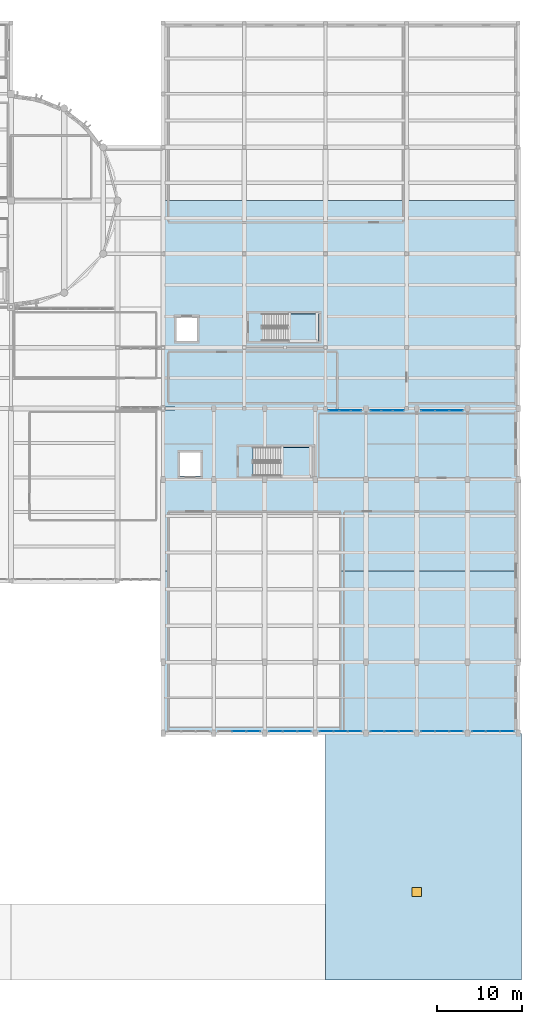
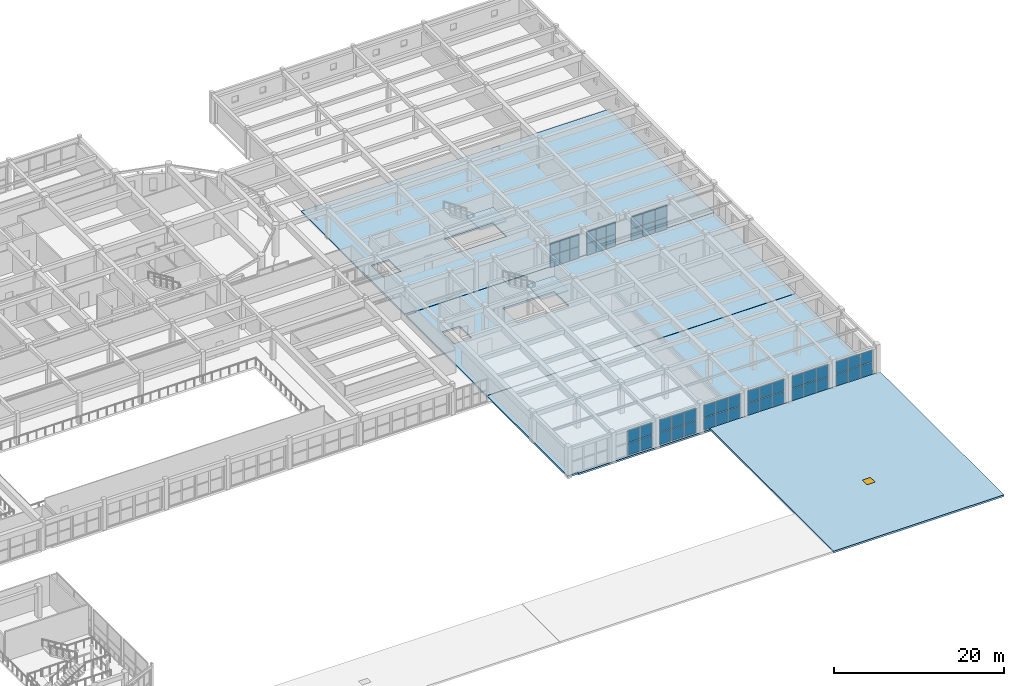
# One storey, part 61 of 92: 52 plates, 6 slabs, 1 door, 1 opening, 11 elements without a shape of their own.
"""IFC4 building model written with IfcOpenShell, lengths in metres."""

from ifc_helpers import new_model, si_unit, direction, frame, origin, origin_2d, place, context, subcontext, project, spatial, polyline, rectangle, outline, extrude, material, layer, layer_set, type_object, element, fill, aggregate, save


model = new_model("IFC4")

# Units and contexts
model_context = context("Model", 3, precision=1e-05, world=origin(), true_north=direction((0.0, 1.0)))
body_context = subcontext(model_context, "Body", "Model", "MODEL_VIEW")
ifc_project = project(units=[si_unit("LENGTHUNIT", "METRE"), si_unit("AREAUNIT", "SQUARE_METRE"), si_unit("VOLUMEUNIT", "CUBIC_METRE"), si_unit("PLANEANGLEUNIT", "RADIAN"), si_unit("MASSUNIT", "GRAM", prefix="KILO")], contexts=[model_context])

# Site, building, storey
site_placement = place(None, origin())
site = spatial("IfcSite", under=ifc_project, at=site_placement, CompositionType="ELEMENT")
building_placement = place(site_placement, origin())
building = spatial("IfcBuilding", under=site, at=building_placement, Name="Tarnavel Promenade Courthouse", CompositionType="ELEMENT")
storey_placement = place(building_placement, frame((0.0, 0.0, 5.39990234375)))
storey = spatial("IfcBuildingStorey", under=building, at=storey_placement, Name="L02", CompositionType="ELEMENT", Elevation=5.39990234375)

# Slab, opening, door
ifc_material_1 = material(Name="Concrete C35/45", Category="concrete")
ifc_layer_1 = layer(ifc_material_1, 0.264892578125)
ifc_layer_set_1 = layer_set([ifc_layer_1], Name="Concrete C35/45")
slab_type_1 = type_object("IfcSlabType", Name="Concrete C35/45 SLB-RF-265 (265 mm)", PredefinedType="ROOF", material=ifc_layer_set_1)
slab_1_placement = place(storey_placement, origin())
slab_1 = element("IfcSlab", 1, at=slab_1_placement, inside=storey, type_object=slab_type_1, Name="L02 East Ceremonial Portico Roof", PredefinedType="ROOF", context=body_context, shape_type="SweptSolid", body=[
    extrude(outline(polyline([(139.219970703125, -0.39990234375), (162.39990234375, -0.39990234375), (162.39990234375, 28.780029296875), (139.219970703125, 28.780029296875), (139.219970703125, -0.39990234375)])), origin(), (0.0, 0.0, 1.0), 0.26513671875),
])
opening_placement = place(slab_1_placement, frame((150.0, 10.0, 0.0)))
opening = element("IfcOpeningElement", 2, at=opening_placement, cuts=slab_1, Name="Opening HT-01", PredefinedType="OPENING", context=body_context, shape_type="SweptSolid", body=[
    extrude(rectangle(XDim=1.10009765625, YDim=1.10009765625, at=origin_2d()), origin(), (0.0, 0.0, 1.0), 0.26513671875),
])
ifc_material_2 = material(Name="Thermally Broken Insulated Aluminium Roof Access Hatch", Category="aluminium")
door_type = type_object("IfcDoorType", Name="Thermally Broken Insulated Aluminium Roof Access Hatch (HT-RF-1100x1100)", OperationType="NOTDEFINED", PredefinedType="TRAPDOOR", material=ifc_material_2)
door_placement = place(opening_placement, frame((0.0, 0.0, 0.215087890625)))
door = element("IfcDoor", 3, at=door_placement, inside=storey, type_object=door_type, Name="L02 Roof Maintenance Access Hatch HT-06", OperationType="SINGLE_SWING_LEFT", OverallHeight=1.10009765625, OverallWidth=1.10009765625, PredefinedType="TRAPDOOR", context=body_context, shape_type="SweptSolid", body=[
    extrude(rectangle(XDim=1.10009765625, YDim=1.10009765625, at=origin_2d()), origin(), (0.0, 0.0, 1.0), 0.050048828125),
])
fill(opening, door)

# Stair, slab
stair_type_1 = type_object("IfcStairType", Name="Concrete C35/45 Half-Turn Stair STR-17 (1500W-280G-24R)", PredefinedType="HALF_TURN_STAIR", material=ifc_material_1)
stair_1_placement = place(storey_placement, origin())
stair_1 = element("IfcStair", 4, at=stair_1_placement, inside=storey, type_object=stair_type_1, Name="L02 Custody Suite Protected Exit Stair", PredefinedType="HALF_TURN_STAIR")
ifc_layer_2 = layer(ifc_material_1, 0.205078125)
ifc_layer_set_2 = layer_set([ifc_layer_2], Name="Concrete C35/45")
slab_type_2 = type_object("IfcSlabType", Name="Concrete C35/45 Stair Landing SLB-LND-205 (205 mm)", PredefinedType="LANDING", material=ifc_layer_set_2)
slab_2_placement = place(storey_placement, frame((0.0, 0.0, 2.050048828125)))
slab_2 = element("IfcSlab", 5, at=slab_2_placement, type_object=slab_type_2, Name="ST-06 landing 1", PredefinedType="LANDING", context=body_context, shape_type="SweptSolid", body=[
    extrude(outline(polyline([(134.780029296875, 75.199951171875), (138.39990234375, 75.199951171875), (138.39990234375, 78.39990234375), (134.780029296875, 78.39990234375), (134.780029296875, 75.199951171875)])), origin(), (0.0, 0.0, 1.0), 0.199951171875),
])
aggregate(stair_1, [slab_2])

stair_type_2 = type_object("IfcStairType", Name="Concrete C35/45 Half-Turn Stair STR-19 (1600W-300G-24R)", PredefinedType="HALF_TURN_STAIR", material=ifc_material_1)
stair_2_placement = place(storey_placement, origin())
stair_2 = element("IfcStair", 6, at=stair_2_placement, inside=storey, type_object=stair_type_2, Name="L02 Ceremonial Pavilion Exit Stair", PredefinedType="HALF_TURN_STAIR")
slab_3_placement = place(storey_placement, frame((0.0, 0.0, 2.050048828125)))
slab_3 = element("IfcSlab", 7, at=slab_3_placement, type_object=slab_type_2, Name="ST-08 landing 1", PredefinedType="LANDING", context=body_context, shape_type="SweptSolid", body=[
    extrude(outline(polyline([(133.89990234375, 59.199951171875), (137.60009765625, 59.199951171875), (137.60009765625, 62.60009765625), (133.89990234375, 62.60009765625), (133.89990234375, 59.199951171875)])), origin(), (0.0, 0.0, 1.0), 0.199951171875),
])
aggregate(stair_2, [slab_3])

# Slabs
ifc_material_3 = material(Name="Concrete C40/50", Category="concrete")
ifc_layer_3 = layer(ifc_material_3, 0.25)
ifc_layer_set_3 = layer_set([ifc_layer_3], Name="Concrete C40/50")
slab_type_3 = type_object("IfcSlabType", Name="Concrete C40/50 SLB-PT-250 (250 mm)", PredefinedType="FLOOR", material=ifc_layer_set_3)
slab_4_placement = place(storey_placement, frame((0.0, 0.0, -0.25)))
element("IfcSlab", 8, at=slab_4_placement, inside=storey, type_object=slab_type_3, Name="L02 Custody Suite S Security Slab", PredefinedType="FLOOR", context=body_context, shape_type="SweptSolid", body=[
    extrude(outline(polyline([(120.02001953125, 67.3798828125), (121.419921875, 67.3798828125), (121.419921875, 67.219970703125), (162.0, 67.219970703125), (162.0, 91.780029296875), (120.02001953125, 91.780029296875), (120.02001953125, 67.3798828125)]), holes=[polyline([(131.7451171875, 75.199951171875), (138.39990234375, 75.199951171875), (138.39990234375, 78.39990234375), (131.7451171875, 78.39990234375), (131.7451171875, 75.199951171875)]), polyline([(121.60009765625, 75.199951171875), (124.0, 75.199951171875), (124.0, 78.0), (121.60009765625, 78.0), (121.60009765625, 75.199951171875)])]), origin(), (0.0, 0.0, 1.0), 0.25),
])
ifc_layer_4 = layer(ifc_material_3, 0.260009765625)
ifc_layer_set_4 = layer_set([ifc_layer_4], Name="Concrete C40/50")
slab_type_4 = type_object("IfcSlabType", Name="Concrete C40/50 SLB-PT-260 (260 mm)", PredefinedType="FLOOR", material=ifc_layer_set_4)
slab_5_placement = place(storey_placement, frame((0.0, 0.0, -0.260009765625)))
element("IfcSlab", 9, at=slab_5_placement, inside=storey, type_object=slab_type_4, Name="L02 Ceremonial Pavilion S Floor Slab", PredefinedType="FLOOR", context=body_context, shape_type="SweptSolid", body=[
    extrude(outline(polyline([(120.02001953125, 28.97998046875), (121.419921875, 28.97998046875), (121.419921875, 28.820068359375), (162.0, 28.820068359375), (162.0, 47.97998046875), (120.02001953125, 47.97998046875), (120.02001953125, 28.97998046875)])), origin(), (0.0, 0.0, 1.0), 0.260009765625),
])
slab_6_placement = place(storey_placement, frame((0.0, 0.0, -0.260009765625)))
element("IfcSlab", 10, at=slab_6_placement, inside=storey, type_object=slab_type_4, Name="L02 Ceremonial Pavilion N Floor Slab", PredefinedType="FLOOR", context=body_context, shape_type="SweptSolid", body=[
    extrude(outline(polyline([(120.02001953125, 48.02001953125), (162.0, 48.02001953125), (162.0, 67.179931640625), (121.419921875, 67.179931640625), (121.419921875, 67.02001953125), (120.02001953125, 67.02001953125), (120.02001953125, 48.02001953125)]), holes=[polyline([(130.64501953125, 59.199951171875), (137.60009765625, 59.199951171875), (137.60009765625, 62.60009765625), (130.64501953125, 62.60009765625), (130.64501953125, 59.199951171875)]), polyline([(122.0, 59.199951171875), (124.39990234375, 59.199951171875), (124.39990234375, 62.0), (122.0, 62.0), (122.0, 59.199951171875)])]), origin(), (0.0, 0.0, 1.0), 0.260009765625),
])

# Curtain wall, plates
ifc_material_4 = material(Name="Thermally Broken Anodised Aluminium Curtain Wall System", Category="aluminium")
ifc_layer_5 = layer(ifc_material_4, 0.199951171875)
ifc_layer_set_5 = layer_set([ifc_layer_5], Name="Thermally Broken Anodised Aluminium Curtain Wall System")
curtain_wall_type = type_object("IfcCurtainWallType", Name="Thermally Broken Aluminium Triple-Glazed Curtain Wall CW-FOYER", PredefinedType="NOTDEFINED", material=ifc_layer_set_5)
curtain_wall_1_placement = place(storey_placement, origin())
curtain_wall_1 = element("IfcCurtainWall", 11, at=curtain_wall_1_placement, inside=storey, type_object=curtain_wall_type, Name="L02 Ceremonial Cloister Curtain Wall 168", PredefinedType="NOTDEFINED")
ifc_material_5 = material(Name="Triple Low-E Argon Insulated Glazing", Category="glass")
ifc_layer_6 = layer(ifc_material_5, 0.048095703125)
ifc_layer_set_6 = layer_set([ifc_layer_6], Name="Triple Low-E Argon Insulated Glazing")
plate_type = type_object("IfcPlateType", Name="Triple Low-E Argon Insulated Glazing Unit CWP-48 (48 mm)", PredefinedType="CURTAIN_PANEL", material=ifc_layer_set_6)
plate_1_placement = place(storey_placement, frame((129.0, 29.02001953125, 0.080078125), z_axis=(0.0, 0.0, 1.0), x_axis=(1.0, 0.0, 0.0)))
plate_1 = element("IfcPlate", 12, at=plate_1_placement, type_object=plate_type, Name="CW-04 panel 2.1", PredefinedType="CURTAIN_PANEL", context=body_context, shape_type="SweptSolid", body=[
    extrude(rectangle(XDim=1.610107421875, YDim=0.048095703125, at=origin_2d()), origin(), (0.0, 0.0, 1.0), 1.739990234375),
])
plate_2_placement = place(storey_placement, frame((129.0, 29.02001953125, 1.89990234375), z_axis=(0.0, 0.0, 1.0), x_axis=(1.0, 0.0, 0.0)))
plate_2 = element("IfcPlate", 13, at=plate_2_placement, type_object=plate_type, Name="CW-04 panel 2.2", PredefinedType="CURTAIN_PANEL", context=body_context, shape_type="SweptSolid", body=[
    extrude(rectangle(XDim=1.610107421875, YDim=0.048095703125, at=origin_2d()), origin(), (0.0, 0.0, 1.0), 1.739990234375),
])
plate_3_placement = place(storey_placement, frame((130.677490234375, 29.02001953125, 0.080078125), z_axis=(0.0, 0.0, 1.0), x_axis=(1.0, 0.0, 0.0)))
plate_3 = element("IfcPlate", 14, at=plate_3_placement, type_object=plate_type, Name="CW-04 panel 3.1", PredefinedType="CURTAIN_PANEL", context=body_context, shape_type="SweptSolid", body=[
    extrude(rectangle(XDim=1.56494140625, YDim=0.048095703125, at=origin_2d()), origin(), (0.0, 0.0, 1.0), 1.739990234375),
])
plate_4_placement = place(storey_placement, frame((130.677490234375, 29.02001953125, 1.89990234375), z_axis=(0.0, 0.0, 1.0), x_axis=(1.0, 0.0, 0.0)))
plate_4 = element("IfcPlate", 15, at=plate_4_placement, type_object=plate_type, Name="CW-04 panel 3.2", PredefinedType="CURTAIN_PANEL", context=body_context, shape_type="SweptSolid", body=[
    extrude(rectangle(XDim=1.56494140625, YDim=0.048095703125, at=origin_2d()), origin(), (0.0, 0.0, 1.0), 1.739990234375),
])
aggregate(curtain_wall_1, [plate_1, plate_2, plate_3, plate_4])

curtain_wall_2_placement = place(storey_placement, origin())
curtain_wall_2 = element("IfcCurtainWall", 16, at=curtain_wall_2_placement, inside=storey, type_object=curtain_wall_type, Name="L02 Ceremonial Cloister Curtain Wall 169", PredefinedType="NOTDEFINED")
plate_5_placement = place(storey_placement, frame((133.322509765625, 29.02001953125, 0.080078125), z_axis=(0.0, 0.0, 1.0), x_axis=(1.0, 0.0, 0.0)))
plate_5 = element("IfcPlate", 17, at=plate_5_placement, type_object=plate_type, Name="CW-04 panel 1.1", PredefinedType="CURTAIN_PANEL", context=body_context, shape_type="SweptSolid", body=[
    extrude(rectangle(XDim=1.56494140625, YDim=0.048095703125, at=origin_2d()), origin(), (0.0, 0.0, 1.0), 1.739990234375),
])
plate_6_placement = place(storey_placement, frame((133.322509765625, 29.02001953125, 1.89990234375), z_axis=(0.0, 0.0, 1.0), x_axis=(1.0, 0.0, 0.0)))
plate_6 = element("IfcPlate", 18, at=plate_6_placement, type_object=plate_type, Name="CW-04 panel 1.2", PredefinedType="CURTAIN_PANEL", context=body_context, shape_type="SweptSolid", body=[
    extrude(rectangle(XDim=1.56494140625, YDim=0.048095703125, at=origin_2d()), origin(), (0.0, 0.0, 1.0), 1.739990234375),
])
plate_7_placement = place(storey_placement, frame((135.0, 29.02001953125, 0.080078125), z_axis=(0.0, 0.0, 1.0), x_axis=(1.0, 0.0, 0.0)))
plate_7 = element("IfcPlate", 19, at=plate_7_placement, type_object=plate_type, Name="CW-04 panel 2.1", PredefinedType="CURTAIN_PANEL", context=body_context, shape_type="SweptSolid", body=[
    extrude(rectangle(XDim=1.610107421875, YDim=0.048095703125, at=origin_2d()), origin(), (0.0, 0.0, 1.0), 1.739990234375),
])
plate_8_placement = place(storey_placement, frame((135.0, 29.02001953125, 1.89990234375), z_axis=(0.0, 0.0, 1.0), x_axis=(1.0, 0.0, 0.0)))
plate_8 = element("IfcPlate", 20, at=plate_8_placement, type_object=plate_type, Name="CW-04 panel 2.2", PredefinedType="CURTAIN_PANEL", context=body_context, shape_type="SweptSolid", body=[
    extrude(rectangle(XDim=1.610107421875, YDim=0.048095703125, at=origin_2d()), origin(), (0.0, 0.0, 1.0), 1.739990234375),
])
plate_9_placement = place(storey_placement, frame((136.677490234375, 29.02001953125, 0.080078125), z_axis=(0.0, 0.0, 1.0), x_axis=(1.0, 0.0, 0.0)))
plate_9 = element("IfcPlate", 21, at=plate_9_placement, type_object=plate_type, Name="CW-04 panel 3.1", PredefinedType="CURTAIN_PANEL", context=body_context, shape_type="SweptSolid", body=[
    extrude(rectangle(XDim=1.56494140625, YDim=0.048095703125, at=origin_2d()), origin(), (0.0, 0.0, 1.0), 1.739990234375),
])
plate_10_placement = place(storey_placement, frame((136.677490234375, 29.02001953125, 1.89990234375), z_axis=(0.0, 0.0, 1.0), x_axis=(1.0, 0.0, 0.0)))
plate_10 = element("IfcPlate", 22, at=plate_10_placement, type_object=plate_type, Name="CW-04 panel 3.2", PredefinedType="CURTAIN_PANEL", context=body_context, shape_type="SweptSolid", body=[
    extrude(rectangle(XDim=1.56494140625, YDim=0.048095703125, at=origin_2d()), origin(), (0.0, 0.0, 1.0), 1.739990234375),
])
aggregate(curtain_wall_2, [plate_5, plate_6, plate_7, plate_8, plate_9, plate_10])

curtain_wall_3_placement = place(storey_placement, origin())
curtain_wall_3 = element("IfcCurtainWall", 23, at=curtain_wall_3_placement, inside=storey, type_object=curtain_wall_type, Name="L02 Ceremonial Cloister Curtain Wall 170", PredefinedType="NOTDEFINED")
plate_11_placement = place(storey_placement, frame((139.322509765625, 29.02001953125, 0.080078125), z_axis=(0.0, 0.0, 1.0), x_axis=(1.0, 0.0, 0.0)))
plate_11 = element("IfcPlate", 24, at=plate_11_placement, type_object=plate_type, Name="CW-04 panel 1.1", PredefinedType="CURTAIN_PANEL", context=body_context, shape_type="SweptSolid", body=[
    extrude(rectangle(XDim=1.56494140625, YDim=0.048095703125, at=origin_2d()), origin(), (0.0, 0.0, 1.0), 1.739990234375),
])
plate_12_placement = place(storey_placement, frame((139.322509765625, 29.02001953125, 1.89990234375), z_axis=(0.0, 0.0, 1.0), x_axis=(1.0, 0.0, 0.0)))
plate_12 = element("IfcPlate", 25, at=plate_12_placement, type_object=plate_type, Name="CW-04 panel 1.2", PredefinedType="CURTAIN_PANEL", context=body_context, shape_type="SweptSolid", body=[
    extrude(rectangle(XDim=1.56494140625, YDim=0.048095703125, at=origin_2d()), origin(), (0.0, 0.0, 1.0), 1.739990234375),
])
plate_13_placement = place(storey_placement, frame((141.0, 29.02001953125, 0.080078125), z_axis=(0.0, 0.0, 1.0), x_axis=(1.0, 0.0, 0.0)))
plate_13 = element("IfcPlate", 26, at=plate_13_placement, type_object=plate_type, Name="CW-04 panel 2.1", PredefinedType="CURTAIN_PANEL", context=body_context, shape_type="SweptSolid", body=[
    extrude(rectangle(XDim=1.610107421875, YDim=0.048095703125, at=origin_2d()), origin(), (0.0, 0.0, 1.0), 1.739990234375),
])
plate_14_placement = place(storey_placement, frame((141.0, 29.02001953125, 1.89990234375), z_axis=(0.0, 0.0, 1.0), x_axis=(1.0, 0.0, 0.0)))
plate_14 = element("IfcPlate", 27, at=plate_14_placement, type_object=plate_type, Name="CW-04 panel 2.2", PredefinedType="CURTAIN_PANEL", context=body_context, shape_type="SweptSolid", body=[
    extrude(rectangle(XDim=1.610107421875, YDim=0.048095703125, at=origin_2d()), origin(), (0.0, 0.0, 1.0), 1.739990234375),
])
plate_15_placement = place(storey_placement, frame((142.677490234375, 29.02001953125, 0.080078125), z_axis=(0.0, 0.0, 1.0), x_axis=(1.0, 0.0, 0.0)))
plate_15 = element("IfcPlate", 28, at=plate_15_placement, type_object=plate_type, Name="CW-04 panel 3.1", PredefinedType="CURTAIN_PANEL", context=body_context, shape_type="SweptSolid", body=[
    extrude(rectangle(XDim=1.56494140625, YDim=0.048095703125, at=origin_2d()), origin(), (0.0, 0.0, 1.0), 1.739990234375),
])
plate_16_placement = place(storey_placement, frame((142.677490234375, 29.02001953125, 1.89990234375), z_axis=(0.0, 0.0, 1.0), x_axis=(1.0, 0.0, 0.0)))
plate_16 = element("IfcPlate", 29, at=plate_16_placement, type_object=plate_type, Name="CW-04 panel 3.2", PredefinedType="CURTAIN_PANEL", context=body_context, shape_type="SweptSolid", body=[
    extrude(rectangle(XDim=1.56494140625, YDim=0.048095703125, at=origin_2d()), origin(), (0.0, 0.0, 1.0), 1.739990234375),
])
aggregate(curtain_wall_3, [plate_11, plate_12, plate_13, plate_14, plate_15, plate_16])

curtain_wall_4_placement = place(storey_placement, origin())
curtain_wall_4 = element("IfcCurtainWall", 30, at=curtain_wall_4_placement, inside=storey, type_object=curtain_wall_type, Name="L02 Ceremonial Cloister Curtain Wall 171", PredefinedType="NOTDEFINED")
plate_17_placement = place(storey_placement, frame((145.322509765625, 29.02001953125, 0.080078125), z_axis=(0.0, 0.0, 1.0), x_axis=(1.0, 0.0, 0.0)))
plate_17 = element("IfcPlate", 31, at=plate_17_placement, type_object=plate_type, Name="CW-04 panel 1.1", PredefinedType="CURTAIN_PANEL", context=body_context, shape_type="SweptSolid", body=[
    extrude(rectangle(XDim=1.56494140625, YDim=0.048095703125, at=origin_2d()), origin(), (0.0, 0.0, 1.0), 1.739990234375),
])
plate_18_placement = place(storey_placement, frame((145.322509765625, 29.02001953125, 1.89990234375), z_axis=(0.0, 0.0, 1.0), x_axis=(1.0, 0.0, 0.0)))
plate_18 = element("IfcPlate", 32, at=plate_18_placement, type_object=plate_type, Name="CW-04 panel 1.2", PredefinedType="CURTAIN_PANEL", context=body_context, shape_type="SweptSolid", body=[
    extrude(rectangle(XDim=1.56494140625, YDim=0.048095703125, at=origin_2d()), origin(), (0.0, 0.0, 1.0), 1.739990234375),
])
plate_19_placement = place(storey_placement, frame((147.0, 29.02001953125, 0.080078125), z_axis=(0.0, 0.0, 1.0), x_axis=(1.0, 0.0, 0.0)))
plate_19 = element("IfcPlate", 33, at=plate_19_placement, type_object=plate_type, Name="CW-04 panel 2.1", PredefinedType="CURTAIN_PANEL", context=body_context, shape_type="SweptSolid", body=[
    extrude(rectangle(XDim=1.610107421875, YDim=0.048095703125, at=origin_2d()), origin(), (0.0, 0.0, 1.0), 1.739990234375),
])
plate_20_placement = place(storey_placement, frame((147.0, 29.02001953125, 1.89990234375), z_axis=(0.0, 0.0, 1.0), x_axis=(1.0, 0.0, 0.0)))
plate_20 = element("IfcPlate", 34, at=plate_20_placement, type_object=plate_type, Name="CW-04 panel 2.2", PredefinedType="CURTAIN_PANEL", context=body_context, shape_type="SweptSolid", body=[
    extrude(rectangle(XDim=1.610107421875, YDim=0.048095703125, at=origin_2d()), origin(), (0.0, 0.0, 1.0), 1.739990234375),
])
plate_21_placement = place(storey_placement, frame((148.677490234375, 29.02001953125, 0.080078125), z_axis=(0.0, 0.0, 1.0), x_axis=(1.0, 0.0, 0.0)))
plate_21 = element("IfcPlate", 35, at=plate_21_placement, type_object=plate_type, Name="CW-04 panel 3.1", PredefinedType="CURTAIN_PANEL", context=body_context, shape_type="SweptSolid", body=[
    extrude(rectangle(XDim=1.56494140625, YDim=0.048095703125, at=origin_2d()), origin(), (0.0, 0.0, 1.0), 1.739990234375),
])
plate_22_placement = place(storey_placement, frame((148.677490234375, 29.02001953125, 1.89990234375), z_axis=(0.0, 0.0, 1.0), x_axis=(1.0, 0.0, 0.0)))
plate_22 = element("IfcPlate", 36, at=plate_22_placement, type_object=plate_type, Name="CW-04 panel 3.2", PredefinedType="CURTAIN_PANEL", context=body_context, shape_type="SweptSolid", body=[
    extrude(rectangle(XDim=1.56494140625, YDim=0.048095703125, at=origin_2d()), origin(), (0.0, 0.0, 1.0), 1.739990234375),
])
aggregate(curtain_wall_4, [plate_17, plate_18, plate_19, plate_20, plate_21, plate_22])

curtain_wall_5_placement = place(storey_placement, origin())
curtain_wall_5 = element("IfcCurtainWall", 37, at=curtain_wall_5_placement, inside=storey, type_object=curtain_wall_type, Name="L02 Ceremonial Cloister Curtain Wall 172", PredefinedType="NOTDEFINED")
plate_23_placement = place(storey_placement, frame((151.322509765625, 29.02001953125, 0.080078125), z_axis=(0.0, 0.0, 1.0), x_axis=(1.0, 0.0, 0.0)))
plate_23 = element("IfcPlate", 38, at=plate_23_placement, type_object=plate_type, Name="CW-04 panel 1.1", PredefinedType="CURTAIN_PANEL", context=body_context, shape_type="SweptSolid", body=[
    extrude(rectangle(XDim=1.56494140625, YDim=0.048095703125, at=origin_2d()), origin(), (0.0, 0.0, 1.0), 1.739990234375),
])
plate_24_placement = place(storey_placement, frame((151.322509765625, 29.02001953125, 1.89990234375), z_axis=(0.0, 0.0, 1.0), x_axis=(1.0, 0.0, 0.0)))
plate_24 = element("IfcPlate", 39, at=plate_24_placement, type_object=plate_type, Name="CW-04 panel 1.2", PredefinedType="CURTAIN_PANEL", context=body_context, shape_type="SweptSolid", body=[
    extrude(rectangle(XDim=1.56494140625, YDim=0.048095703125, at=origin_2d()), origin(), (0.0, 0.0, 1.0), 1.739990234375),
])
plate_25_placement = place(storey_placement, frame((153.0, 29.02001953125, 0.080078125), z_axis=(0.0, 0.0, 1.0), x_axis=(1.0, 0.0, 0.0)))
plate_25 = element("IfcPlate", 40, at=plate_25_placement, type_object=plate_type, Name="CW-04 panel 2.1", PredefinedType="CURTAIN_PANEL", context=body_context, shape_type="SweptSolid", body=[
    extrude(rectangle(XDim=1.610107421875, YDim=0.048095703125, at=origin_2d()), origin(), (0.0, 0.0, 1.0), 1.739990234375),
])
plate_26_placement = place(storey_placement, frame((153.0, 29.02001953125, 1.89990234375), z_axis=(0.0, 0.0, 1.0), x_axis=(1.0, 0.0, 0.0)))
plate_26 = element("IfcPlate", 41, at=plate_26_placement, type_object=plate_type, Name="CW-04 panel 2.2", PredefinedType="CURTAIN_PANEL", context=body_context, shape_type="SweptSolid", body=[
    extrude(rectangle(XDim=1.610107421875, YDim=0.048095703125, at=origin_2d()), origin(), (0.0, 0.0, 1.0), 1.739990234375),
])
plate_27_placement = place(storey_placement, frame((154.677490234375, 29.02001953125, 0.080078125), z_axis=(0.0, 0.0, 1.0), x_axis=(1.0, 0.0, 0.0)))
plate_27 = element("IfcPlate", 42, at=plate_27_placement, type_object=plate_type, Name="CW-04 panel 3.1", PredefinedType="CURTAIN_PANEL", context=body_context, shape_type="SweptSolid", body=[
    extrude(rectangle(XDim=1.56494140625, YDim=0.048095703125, at=origin_2d()), origin(), (0.0, 0.0, 1.0), 1.739990234375),
])
plate_28_placement = place(storey_placement, frame((154.677490234375, 29.02001953125, 1.89990234375), z_axis=(0.0, 0.0, 1.0), x_axis=(1.0, 0.0, 0.0)))
plate_28 = element("IfcPlate", 43, at=plate_28_placement, type_object=plate_type, Name="CW-04 panel 3.2", PredefinedType="CURTAIN_PANEL", context=body_context, shape_type="SweptSolid", body=[
    extrude(rectangle(XDim=1.56494140625, YDim=0.048095703125, at=origin_2d()), origin(), (0.0, 0.0, 1.0), 1.739990234375),
])
aggregate(curtain_wall_5, [plate_23, plate_24, plate_25, plate_26, plate_27, plate_28])

curtain_wall_6_placement = place(storey_placement, origin())
curtain_wall_6 = element("IfcCurtainWall", 44, at=curtain_wall_6_placement, inside=storey, type_object=curtain_wall_type, Name="L02 Ceremonial Cloister Curtain Wall 173", PredefinedType="NOTDEFINED")
plate_29_placement = place(storey_placement, frame((157.322509765625, 29.02001953125, 0.080078125), z_axis=(0.0, 0.0, 1.0), x_axis=(1.0, 0.0, 0.0)))
plate_29 = element("IfcPlate", 45, at=plate_29_placement, type_object=plate_type, Name="CW-04 panel 1.1", PredefinedType="CURTAIN_PANEL", context=body_context, shape_type="SweptSolid", body=[
    extrude(rectangle(XDim=1.56494140625, YDim=0.048095703125, at=origin_2d()), origin(), (0.0, 0.0, 1.0), 1.739990234375),
])
plate_30_placement = place(storey_placement, frame((157.322509765625, 29.02001953125, 1.89990234375), z_axis=(0.0, 0.0, 1.0), x_axis=(1.0, 0.0, 0.0)))
plate_30 = element("IfcPlate", 46, at=plate_30_placement, type_object=plate_type, Name="CW-04 panel 1.2", PredefinedType="CURTAIN_PANEL", context=body_context, shape_type="SweptSolid", body=[
    extrude(rectangle(XDim=1.56494140625, YDim=0.048095703125, at=origin_2d()), origin(), (0.0, 0.0, 1.0), 1.739990234375),
])
plate_31_placement = place(storey_placement, frame((159.0, 29.02001953125, 0.080078125), z_axis=(0.0, 0.0, 1.0), x_axis=(1.0, 0.0, 0.0)))
plate_31 = element("IfcPlate", 47, at=plate_31_placement, type_object=plate_type, Name="CW-04 panel 2.1", PredefinedType="CURTAIN_PANEL", context=body_context, shape_type="SweptSolid", body=[
    extrude(rectangle(XDim=1.610107421875, YDim=0.048095703125, at=origin_2d()), origin(), (0.0, 0.0, 1.0), 1.739990234375),
])
plate_32_placement = place(storey_placement, frame((159.0, 29.02001953125, 1.89990234375), z_axis=(0.0, 0.0, 1.0), x_axis=(1.0, 0.0, 0.0)))
plate_32 = element("IfcPlate", 48, at=plate_32_placement, type_object=plate_type, Name="CW-04 panel 2.2", PredefinedType="CURTAIN_PANEL", context=body_context, shape_type="SweptSolid", body=[
    extrude(rectangle(XDim=1.610107421875, YDim=0.048095703125, at=origin_2d()), origin(), (0.0, 0.0, 1.0), 1.739990234375),
])
plate_33_placement = place(storey_placement, frame((160.677490234375, 29.02001953125, 0.080078125), z_axis=(0.0, 0.0, 1.0), x_axis=(1.0, 0.0, 0.0)))
plate_33 = element("IfcPlate", 49, at=plate_33_placement, type_object=plate_type, Name="CW-04 panel 3.1", PredefinedType="CURTAIN_PANEL", context=body_context, shape_type="SweptSolid", body=[
    extrude(rectangle(XDim=1.56494140625, YDim=0.048095703125, at=origin_2d()), origin(), (0.0, 0.0, 1.0), 1.739990234375),
])
plate_34_placement = place(storey_placement, frame((160.677490234375, 29.02001953125, 1.89990234375), z_axis=(0.0, 0.0, 1.0), x_axis=(1.0, 0.0, 0.0)))
plate_34 = element("IfcPlate", 50, at=plate_34_placement, type_object=plate_type, Name="CW-04 panel 3.2", PredefinedType="CURTAIN_PANEL", context=body_context, shape_type="SweptSolid", body=[
    extrude(rectangle(XDim=1.56494140625, YDim=0.048095703125, at=origin_2d()), origin(), (0.0, 0.0, 1.0), 1.739990234375),
])
aggregate(curtain_wall_6, [plate_29, plate_30, plate_31, plate_32, plate_33, plate_34])

curtain_wall_7_placement = place(storey_placement, origin())
curtain_wall_7 = element("IfcCurtainWall", 51, at=curtain_wall_7_placement, inside=storey, type_object=curtain_wall_type, Name="L02 Ceremonial North Cloister Curtain Wall 174", PredefinedType="NOTDEFINED")
plate_35_placement = place(storey_placement, frame((142.848388671875, 66.9599609375, 0.080078125), z_axis=(0.0, 0.0, 1.0), x_axis=(-1.0, 0.0, 0.0)))
plate_35 = element("IfcPlate", 52, at=plate_35_placement, type_object=plate_type, Name="CW-04 panel 1.1", PredefinedType="CURTAIN_PANEL", context=body_context, shape_type="SweptSolid", body=[
    extrude(rectangle(XDim=1.223388671875, YDim=0.048095703125, at=origin_2d()), origin(), (0.0, 0.0, 1.0), 1.6650390625),
])
plate_36_placement = place(storey_placement, frame((142.848388671875, 66.9599609375, 1.8251953125), z_axis=(0.0, 0.0, 1.0), x_axis=(-1.0, 0.0, 0.0)))
plate_36 = element("IfcPlate", 53, at=plate_36_placement, type_object=plate_type, Name="CW-04 panel 1.2", PredefinedType="CURTAIN_PANEL", context=body_context, shape_type="SweptSolid", body=[
    extrude(rectangle(XDim=1.223388671875, YDim=0.048095703125, at=origin_2d()), origin(), (0.0, 0.0, 1.0), 1.6650390625),
])
plate_37_placement = place(storey_placement, frame((141.512451171875, 66.9599609375, 0.080078125), z_axis=(0.0, 0.0, 1.0), x_axis=(-1.0, 0.0, 0.0)))
plate_37 = element("IfcPlate", 54, at=plate_37_placement, type_object=plate_type, Name="CW-04 panel 2.1", PredefinedType="CURTAIN_PANEL", context=body_context, shape_type="SweptSolid", body=[
    extrude(rectangle(XDim=1.268310546875, YDim=0.048095703125, at=origin_2d()), origin(), (0.0, 0.0, 1.0), 1.6650390625),
])
plate_38_placement = place(storey_placement, frame((141.512451171875, 66.9599609375, 1.8251953125), z_axis=(0.0, 0.0, 1.0), x_axis=(-1.0, 0.0, 0.0)))
plate_38 = element("IfcPlate", 55, at=plate_38_placement, type_object=plate_type, Name="CW-04 panel 2.2", PredefinedType="CURTAIN_PANEL", context=body_context, shape_type="SweptSolid", body=[
    extrude(rectangle(XDim=1.268310546875, YDim=0.048095703125, at=origin_2d()), origin(), (0.0, 0.0, 1.0), 1.6650390625),
])
plate_39_placement = place(storey_placement, frame((140.1767578125, 66.9599609375, 0.080078125), z_axis=(0.0, 0.0, 1.0), x_axis=(-1.0, 0.0, 0.0)))
plate_39 = element("IfcPlate", 56, at=plate_39_placement, type_object=plate_type, Name="CW-04 panel 3.1", PredefinedType="CURTAIN_PANEL", context=body_context, shape_type="SweptSolid", body=[
    extrude(rectangle(XDim=1.223388671875, YDim=0.048095703125, at=origin_2d()), origin(), (0.0, 0.0, 1.0), 1.6650390625),
])
plate_40_placement = place(storey_placement, frame((140.1767578125, 66.9599609375, 1.8251953125), z_axis=(0.0, 0.0, 1.0), x_axis=(-1.0, 0.0, 0.0)))
plate_40 = element("IfcPlate", 57, at=plate_40_placement, type_object=plate_type, Name="CW-04 panel 3.2", PredefinedType="CURTAIN_PANEL", context=body_context, shape_type="SweptSolid", body=[
    extrude(rectangle(XDim=1.223388671875, YDim=0.048095703125, at=origin_2d()), origin(), (0.0, 0.0, 1.0), 1.6650390625),
])
aggregate(curtain_wall_7, [plate_35, plate_36, plate_37, plate_38, plate_39, plate_40])

curtain_wall_8_placement = place(storey_placement, origin())
curtain_wall_8 = element("IfcCurtainWall", 58, at=curtain_wall_8_placement, inside=storey, type_object=curtain_wall_type, Name="L02 Ceremonial North Cloister Curtain Wall 175", PredefinedType="NOTDEFINED")
plate_41_placement = place(storey_placement, frame((147.8232421875, 66.9599609375, 0.080078125), z_axis=(0.0, 0.0, 1.0), x_axis=(-1.0, 0.0, 0.0)))
plate_41 = element("IfcPlate", 59, at=plate_41_placement, type_object=plate_type, Name="CW-04 panel 1.1", PredefinedType="CURTAIN_PANEL", context=body_context, shape_type="SweptSolid", body=[
    extrude(rectangle(XDim=1.223388671875, YDim=0.048095703125, at=origin_2d()), origin(), (0.0, 0.0, 1.0), 1.6650390625),
])
plate_42_placement = place(storey_placement, frame((147.8232421875, 66.9599609375, 1.8251953125), z_axis=(0.0, 0.0, 1.0), x_axis=(-1.0, 0.0, 0.0)))
plate_42 = element("IfcPlate", 60, at=plate_42_placement, type_object=plate_type, Name="CW-04 panel 1.2", PredefinedType="CURTAIN_PANEL", context=body_context, shape_type="SweptSolid", body=[
    extrude(rectangle(XDim=1.223388671875, YDim=0.048095703125, at=origin_2d()), origin(), (0.0, 0.0, 1.0), 1.6650390625),
])
plate_43_placement = place(storey_placement, frame((146.487548828125, 66.9599609375, 0.080078125), z_axis=(0.0, 0.0, 1.0), x_axis=(-1.0, 0.0, 0.0)))
plate_43 = element("IfcPlate", 61, at=plate_43_placement, type_object=plate_type, Name="CW-04 panel 2.1", PredefinedType="CURTAIN_PANEL", context=body_context, shape_type="SweptSolid", body=[
    extrude(rectangle(XDim=1.268310546875, YDim=0.048095703125, at=origin_2d()), origin(), (0.0, 0.0, 1.0), 1.6650390625),
])
plate_44_placement = place(storey_placement, frame((146.487548828125, 66.9599609375, 1.8251953125), z_axis=(0.0, 0.0, 1.0), x_axis=(-1.0, 0.0, 0.0)))
plate_44 = element("IfcPlate", 62, at=plate_44_placement, type_object=plate_type, Name="CW-04 panel 2.2", PredefinedType="CURTAIN_PANEL", context=body_context, shape_type="SweptSolid", body=[
    extrude(rectangle(XDim=1.268310546875, YDim=0.048095703125, at=origin_2d()), origin(), (0.0, 0.0, 1.0), 1.6650390625),
])
plate_45_placement = place(storey_placement, frame((145.151611328125, 66.9599609375, 0.080078125), z_axis=(0.0, 0.0, 1.0), x_axis=(-1.0, 0.0, 0.0)))
plate_45 = element("IfcPlate", 63, at=plate_45_placement, type_object=plate_type, Name="CW-04 panel 3.1", PredefinedType="CURTAIN_PANEL", context=body_context, shape_type="SweptSolid", body=[
    extrude(rectangle(XDim=1.223388671875, YDim=0.048095703125, at=origin_2d()), origin(), (0.0, 0.0, 1.0), 1.6650390625),
])
plate_46_placement = place(storey_placement, frame((145.151611328125, 66.9599609375, 1.8251953125), z_axis=(0.0, 0.0, 1.0), x_axis=(-1.0, 0.0, 0.0)))
plate_46 = element("IfcPlate", 64, at=plate_46_placement, type_object=plate_type, Name="CW-04 panel 3.2", PredefinedType="CURTAIN_PANEL", context=body_context, shape_type="SweptSolid", body=[
    extrude(rectangle(XDim=1.223388671875, YDim=0.048095703125, at=origin_2d()), origin(), (0.0, 0.0, 1.0), 1.6650390625),
])
aggregate(curtain_wall_8, [plate_41, plate_42, plate_43, plate_44, plate_45, plate_46])

curtain_wall_9_placement = place(storey_placement, origin())
curtain_wall_9 = element("IfcCurtainWall", 65, at=curtain_wall_9_placement, inside=storey, type_object=curtain_wall_type, Name="L02 Ceremonial North Cloister Curtain Wall 176", PredefinedType="NOTDEFINED")
plate_47_placement = place(storey_placement, frame((154.677490234375, 66.9599609375, 0.080078125), z_axis=(0.0, 0.0, 1.0), x_axis=(-1.0, 0.0, 0.0)))
plate_47 = element("IfcPlate", 66, at=plate_47_placement, type_object=plate_type, Name="CW-04 panel 1.1", PredefinedType="CURTAIN_PANEL", context=body_context, shape_type="SweptSolid", body=[
    extrude(rectangle(XDim=1.56494140625, YDim=0.048095703125, at=origin_2d()), origin(), (0.0, 0.0, 1.0), 1.6650390625),
])
plate_48_placement = place(storey_placement, frame((154.677490234375, 66.9599609375, 1.8251953125), z_axis=(0.0, 0.0, 1.0), x_axis=(-1.0, 0.0, 0.0)))
plate_48 = element("IfcPlate", 67, at=plate_48_placement, type_object=plate_type, Name="CW-04 panel 1.2", PredefinedType="CURTAIN_PANEL", context=body_context, shape_type="SweptSolid", body=[
    extrude(rectangle(XDim=1.56494140625, YDim=0.048095703125, at=origin_2d()), origin(), (0.0, 0.0, 1.0), 1.6650390625),
])
plate_49_placement = place(storey_placement, frame((153.0, 66.9599609375, 0.080078125), z_axis=(0.0, 0.0, 1.0), x_axis=(-1.0, 0.0, 0.0)))
plate_49 = element("IfcPlate", 68, at=plate_49_placement, type_object=plate_type, Name="CW-04 panel 2.1", PredefinedType="CURTAIN_PANEL", context=body_context, shape_type="SweptSolid", body=[
    extrude(rectangle(XDim=1.610107421875, YDim=0.048095703125, at=origin_2d()), origin(), (0.0, 0.0, 1.0), 1.6650390625),
])
plate_50_placement = place(storey_placement, frame((153.0, 66.9599609375, 1.8251953125), z_axis=(0.0, 0.0, 1.0), x_axis=(-1.0, 0.0, 0.0)))
plate_50 = element("IfcPlate", 69, at=plate_50_placement, type_object=plate_type, Name="CW-04 panel 2.2", PredefinedType="CURTAIN_PANEL", context=body_context, shape_type="SweptSolid", body=[
    extrude(rectangle(XDim=1.610107421875, YDim=0.048095703125, at=origin_2d()), origin(), (0.0, 0.0, 1.0), 1.6650390625),
])
plate_51_placement = place(storey_placement, frame((151.322509765625, 66.9599609375, 0.080078125), z_axis=(0.0, 0.0, 1.0), x_axis=(-1.0, 0.0, 0.0)))
plate_51 = element("IfcPlate", 70, at=plate_51_placement, type_object=plate_type, Name="CW-04 panel 3.1", PredefinedType="CURTAIN_PANEL", context=body_context, shape_type="SweptSolid", body=[
    extrude(rectangle(XDim=1.56494140625, YDim=0.048095703125, at=origin_2d()), origin(), (0.0, 0.0, 1.0), 1.6650390625),
])
plate_52_placement = place(storey_placement, frame((151.322509765625, 66.9599609375, 1.8251953125), z_axis=(0.0, 0.0, 1.0), x_axis=(-1.0, 0.0, 0.0)))
plate_52 = element("IfcPlate", 71, at=plate_52_placement, type_object=plate_type, Name="CW-04 panel 3.2", PredefinedType="CURTAIN_PANEL", context=body_context, shape_type="SweptSolid", body=[
    extrude(rectangle(XDim=1.56494140625, YDim=0.048095703125, at=origin_2d()), origin(), (0.0, 0.0, 1.0), 1.6650390625),
])
aggregate(curtain_wall_9, [plate_47, plate_48, plate_49, plate_50, plate_51, plate_52])

save(model, "model.ifc")
